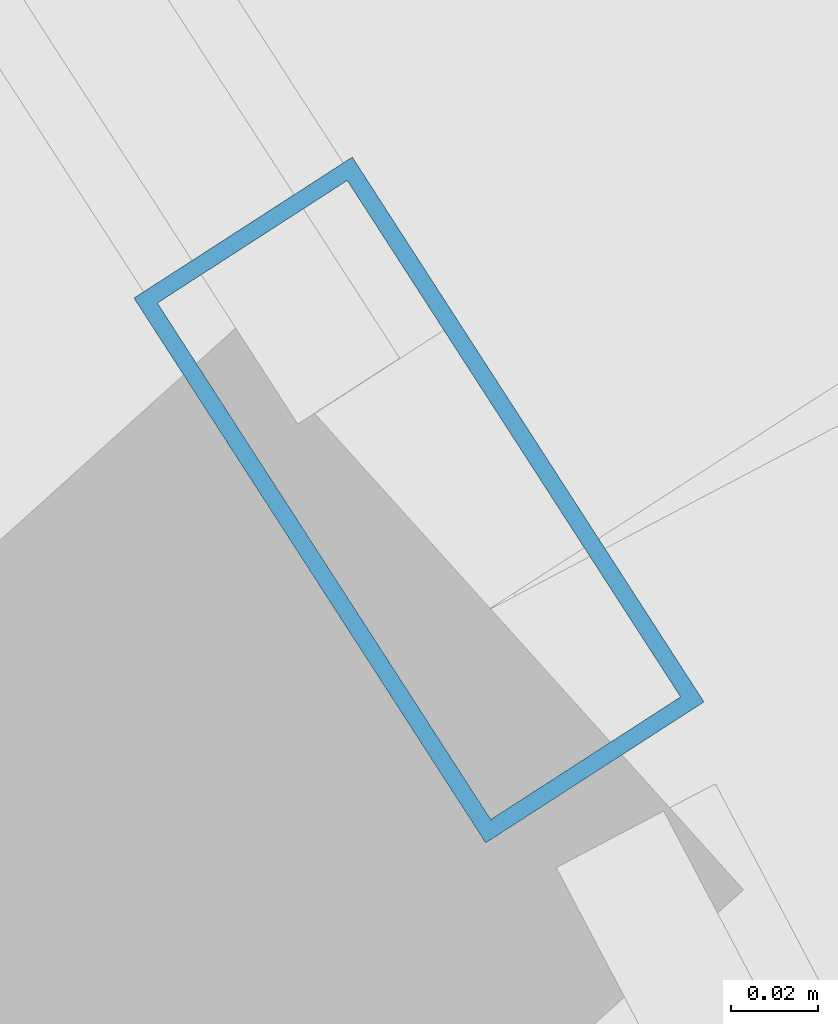
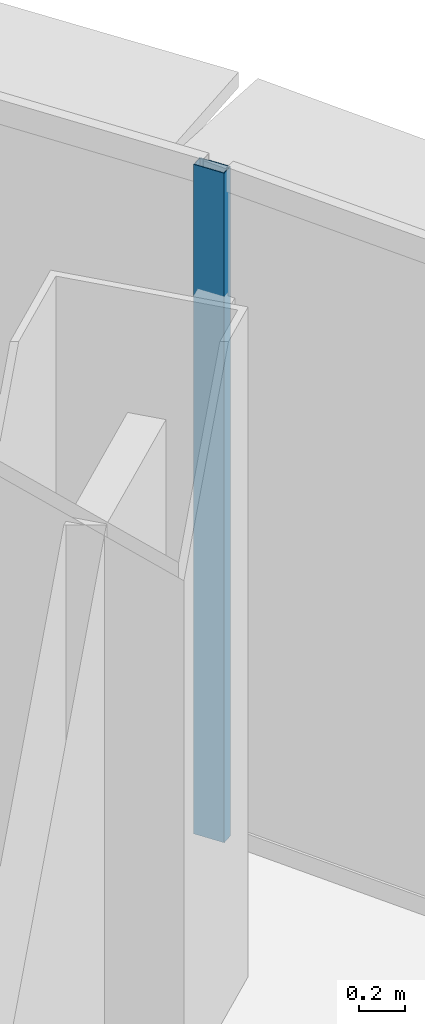
# One storey, part 20 of 36: 1 member, 1 element without a shape of its own.
"""IFC4 building model written with IfcOpenShell, lengths in metres."""

from ifc_helpers import new_model, si_unit, direction, frame, origin, origin_2d, place, context, subcontext, project, spatial, hollow_rectangle, extrude, source, transform, mapped, material, layer, layer_set, material_profile, profile_set, type_object, element, aggregate, save


model = new_model("IFC4")

# Units and contexts
model_context = context("Model", 3, precision=1e-05, world=origin(), true_north=direction((0.0, 1.0)))
body_context = subcontext(model_context, "Body", "Model", "MODEL_VIEW")
ifc_project = project(units=[si_unit("LENGTHUNIT", "METRE"), si_unit("AREAUNIT", "SQUARE_METRE"), si_unit("VOLUMEUNIT", "CUBIC_METRE"), si_unit("PLANEANGLEUNIT", "RADIAN"), si_unit("MASSUNIT", "GRAM", prefix="KILO"), si_unit("THERMODYNAMICTEMPERATUREUNIT", "KELVIN"), si_unit("POWERUNIT", "WATT")], contexts=[model_context])

# Site, building, storey
site_placement = place(None, origin())
site = spatial("IfcSite", under=ifc_project, at=site_placement, CompositionType="ELEMENT")
building_placement = place(site_placement, origin())
building = spatial("IfcBuilding", under=site, at=building_placement, Name="Yunzhuo Pagoda Commons", CompositionType="ELEMENT")
storey_placement = place(building_placement, frame((0.0, 0.0, 211.360107421875)))
storey = spatial("IfcBuildingStorey", under=building, at=storey_placement, Name="L53", CompositionType="ELEMENT", Elevation=211.360107421875)

# Curtain wall, member
ifc_material = material(Name="Anodized aluminium 6063-T6", Category="aluminium")
ifc_layer = layer(ifc_material, 0.14990234375)
ifc_layer_set = layer_set([ifc_layer], Name="Anodized aluminium 6063-T6")
curtain_wall_type = type_object("IfcCurtainWallType", Name="CW-MID Mid-Zone Ribbon Curtain Wall", PredefinedType="NOTDEFINED", material=ifc_layer_set)
curtain_wall_placement = place(storey_placement, origin())
curtain_wall = element("IfcCurtainWall", 1, at=curtain_wall_placement, inside=storey, type_object=curtain_wall_type, Name="L53 curtain wall CW-L53-F2B4", PredefinedType="NOTDEFINED")
ifc_material_profile = material_profile(ifc_material, hollow_rectangle(XDim=0.06005859375, YDim=0.14990234375, WallThickness=0.00390625, at=origin_2d()), Name="Anodized aluminium 6063-T6")
ifc_profile_set = profile_set([ifc_material_profile], Name="Anodized aluminium 6063-T6")
member_type = type_object("IfcMemberType", Name="CW-MID-M Mullion RHS 150x60x4", PredefinedType="MULLION", material=ifc_profile_set)
shared_shape = source(origin(), body_context, "Body", "SweptSolid", [
    extrude(hollow_rectangle(XDim=0.06005859375, YDim=0.14990234375, WallThickness=0.00390625, at=origin_2d()), origin(), (0.0, 0.0, 1.0), 3.539794921875),
])
member_placement = place(storey_placement, frame((71.685546875, 55.06640625, 0.0), z_axis=(0.0, 0.0, 1.0), x_axis=(-0.840138139518, -0.542372479508, 0.0)))
member = element("IfcMember", 2, at=member_placement, type_object=member_type, Name="CW mullion 1", PredefinedType="MULLION", context=body_context, shape_type="MappedRepresentation", body=[
    mapped(shared_shape, transform((0.0, 0.0, 0.0), scale=1.0)),
])
aggregate(curtain_wall, [member])

save(model, "model.ifc")
